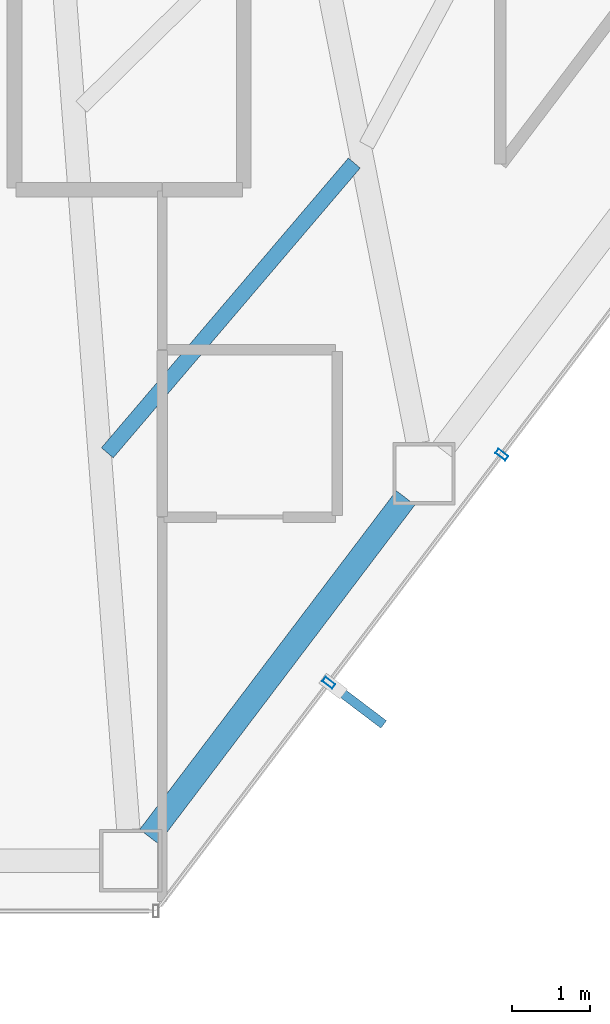
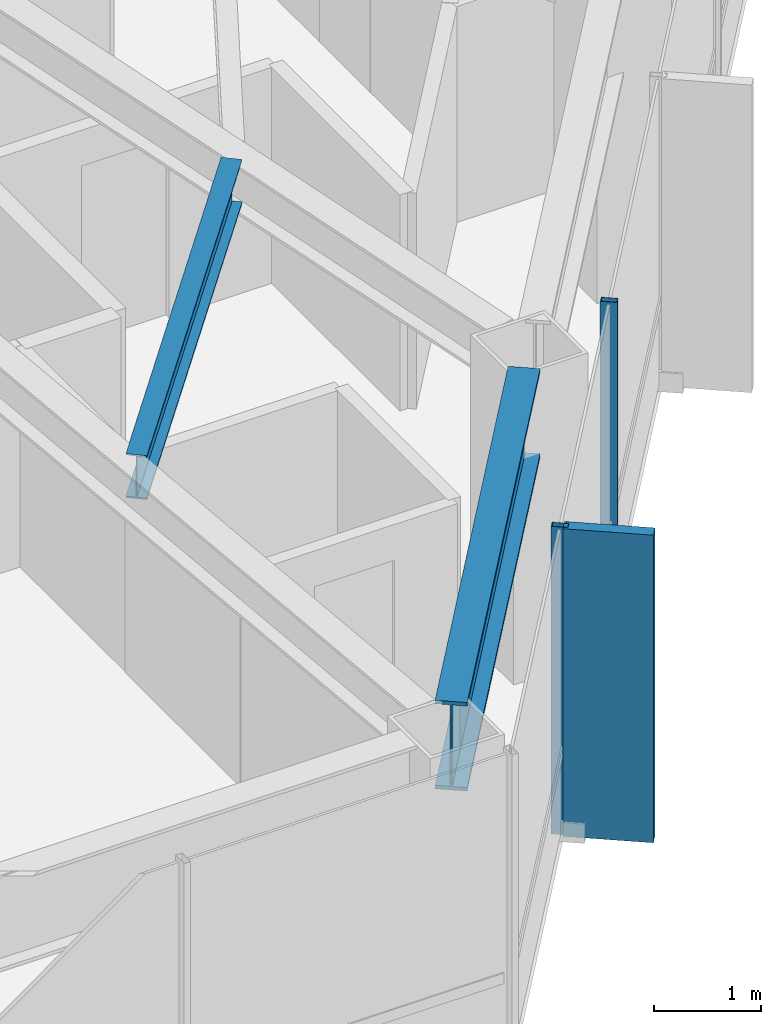
# One storey, part 16 of 28: 3 members, 2 beams, 1 element without a shape of its own.
"""IFC4 building model written with IfcOpenShell, lengths in metres."""

from ifc_helpers import new_model, si_unit, direction, frame, origin, origin_2d, place, context, subcontext, project, spatial, rectangle, hollow_rectangle, i_section, extrude, material, layer, layer_set, material_profile, profile_set, type_object, element, aggregate, save


model = new_model("IFC4")

# Units and contexts
model_context = context("Model", 3, precision=1e-05, world=origin(), true_north=direction((0.0, 1.0)))
body_context = subcontext(model_context, "Body", "Model", "MODEL_VIEW")
ifc_project = project(units=[si_unit("LENGTHUNIT", "METRE"), si_unit("AREAUNIT", "SQUARE_METRE"), si_unit("VOLUMEUNIT", "CUBIC_METRE"), si_unit("PLANEANGLEUNIT", "RADIAN"), si_unit("MASSUNIT", "GRAM", prefix="KILO")], contexts=[model_context])

# Site, building, storey
site_placement = place(None, origin())
site = spatial("IfcSite", under=ifc_project, at=site_placement, CompositionType="ELEMENT")
building_placement = place(site_placement, origin())
building = spatial("IfcBuilding", under=site, at=building_placement, Name="Zarrinselat Tower", CompositionType="ELEMENT")
storey_placement = place(building_placement, frame((0.0, 0.0, 127.159912109375)))
storey = spatial("IfcBuildingStorey", under=building, at=storey_placement, Name="L30", CompositionType="ELEMENT", Elevation=127.159912109375)

# Beams
ifc_material_1 = material(Name="Steel S460M", Category="steel")
ifc_material_profile_1 = material_profile(ifc_material_1, i_section(OverallWidth=0.302001953125, OverallDepth=1.008056640625, WebThickness=0.02099609375, FlangeThickness=0.0400390625, at=origin_2d()), Name="HEM 1000")
ifc_profile_set_1 = profile_set([ifc_material_profile_1], Name="Steel S460M")
beam_type_1 = type_object("IfcBeamType", Name="BM-HEM1000", PredefinedType="BEAM", material=ifc_profile_set_1)
beam_1_placement = place(storey_placement, frame((47.129150390625, 19.025634765625, 2.99609375), z_axis=(0.603856828579, 0.797092799226, 0.0), x_axis=(-0.797092799226, 0.603856828579, 0.0)))
element("IfcBeam", 1, at=beam_1_placement, inside=storey, type_object=beam_type_1, Name="L30 Perimeter Spandrel Girder SP11", PredefinedType="BEAM", context=body_context, shape_type="SweptSolid", body=[
    extrude(i_section(OverallWidth=0.302001953125, OverallDepth=1.008056640625, WebThickness=0.02099609375, FlangeThickness=0.0400390625, at=origin_2d()), origin(), (0.0, 0.0, 1.0), 5.469482421875),
])
ifc_material_2 = material(Name="Steel S355J2", Category="steel")
ifc_material_profile_2 = material_profile(ifc_material_2, i_section(OverallWidth=0.199951171875, OverallDepth=0.5, WebThickness=0.01025390625, FlangeThickness=0.01611328125, at=origin_2d()), Name="IPE 500")
ifc_profile_set_2 = profile_set([ifc_material_profile_2], Name="Steel S355J2")
beam_type_2 = type_object("IfcBeamType", Name="BM-IPE500", PredefinedType="JOIST", material=ifc_profile_set_2)
beam_2_placement = place(storey_placement, frame((46.59326171875, 23.964111328125, 3.25), z_axis=(0.648679287619, 0.761061877783, 0.0), x_axis=(-0.761061877783, 0.648679287619, 0.0)))
element("IfcBeam", 2, at=beam_2_placement, inside=storey, type_object=beam_type_2, Name="L30 Composite Floor Joist 3-1", PredefinedType="JOIST", context=body_context, shape_type="SweptSolid", body=[
    extrude(i_section(OverallWidth=0.199951171875, OverallDepth=0.5, WebThickness=0.01025390625, FlangeThickness=0.01611328125, at=origin_2d()), origin(), (0.0, 0.0, 1.0), 4.898681640625),
])

# Curtain wall, members
ifc_material_3 = material(Name="Extruded Aluminium Alloy EN AW-6063 T6", Category="aluminium")
ifc_layer = layer(ifc_material_3, 0.175048828125)
ifc_layer_set = layer_set([ifc_layer], Name="Extruded Aluminium Alloy EN AW-6063 T6")
curtain_wall_type = type_object("IfcCurtainWallType", Name="CWS-HTL", PredefinedType="NOTDEFINED", material=ifc_layer_set)
curtain_wall_placement = place(storey_placement, origin())
curtain_wall = element("IfcCurtainWall", 3, at=curtain_wall_placement, inside=storey, type_object=curtain_wall_type, Name="L30 Unitised Curtain Wall CW-L30-E05", PredefinedType="NOTDEFINED")
ifc_material_4 = material(Name="Extruded Aluminium Alloy EN AW-6063 T6", Category="aluminium")
ifc_material_profile_3 = material_profile(ifc_material_4, hollow_rectangle(XDim=0.070068359375, YDim=0.159912109375, WallThickness=0.00390625, at=origin_2d()), Name="RHS 160x70x4")
ifc_profile_set_3 = profile_set([ifc_material_profile_3], Name="Extruded Aluminium Alloy EN AW-6063 T6")
member_type_1 = type_object("IfcMemberType", Name="MEM-CW-MUL2", PredefinedType="MULLION", material=ifc_profile_set_3)
member_1_placement = place(storey_placement, frame((49.443359375, 21.00390625, 0.0), z_axis=(0.0, 0.0, 1.0), x_axis=(0.603858135777, 0.797091808926, 0.0)))
member_1 = element("IfcMember", 4, at=member_1_placement, type_object=member_type_1, Name="CW-L30-E05 Mullion 1", PredefinedType="MULLION", context=body_context, shape_type="SweptSolid", body=[
    extrude(hollow_rectangle(XDim=0.070068359375, YDim=0.159912109375, WallThickness=0.00390625, at=origin_2d()), origin(), (0.0, 0.0, 1.0), 3.5),
])
member_2_placement = place(storey_placement, frame((51.668701171875, 23.94140625, 0.0), z_axis=(0.0, 0.0, 1.0), x_axis=(0.603858135777, 0.797091808926, 0.0)))
member_2 = element("IfcMember", 5, at=member_2_placement, type_object=member_type_1, Name="CW-L30-E05 Mullion 2", PredefinedType="MULLION", context=body_context, shape_type="SweptSolid", body=[
    extrude(hollow_rectangle(XDim=0.070068359375, YDim=0.159912109375, WallThickness=0.00390625, at=origin_2d()), origin(), (0.0, 0.0, 1.0), 3.5),
])
ifc_material_5 = material(Name="Honed Cream Travertine Stone", Category="masonry")
ifc_material_profile_4 = material_profile(ifc_material_5, rectangle(XDim=0.1201171875, YDim=0.85009765625, at=origin_2d()), Name="FIN 850x120")
ifc_profile_set_4 = profile_set([ifc_material_profile_4], Name="Honed Cream Travertine Stone")
member_type_2 = type_object("IfcMemberType", Name="MEM-STONE-FIN", PredefinedType="USERDEFINED", material=ifc_profile_set_4)
member_3_placement = place(storey_placement, frame((49.81005859375, 20.72607421875, 0.0), z_axis=(0.0, 0.0, 1.0), x_axis=(-0.603858135777, -0.797091808926, 0.0)))
member_3 = element("IfcMember", 6, at=member_3_placement, type_object=member_type_2, Name="L30 Stone Shading Fin CW-L30-E05-01", ObjectType="FIN", PredefinedType="USERDEFINED", context=body_context, shape_type="SweptSolid", body=[
    extrude(rectangle(XDim=0.1201171875, YDim=0.85009765625, at=origin_2d()), origin(), (0.0, 0.0, 1.0), 3.5),
])
aggregate(curtain_wall, [member_1, member_3, member_2])

save(model, "model.ifc")
